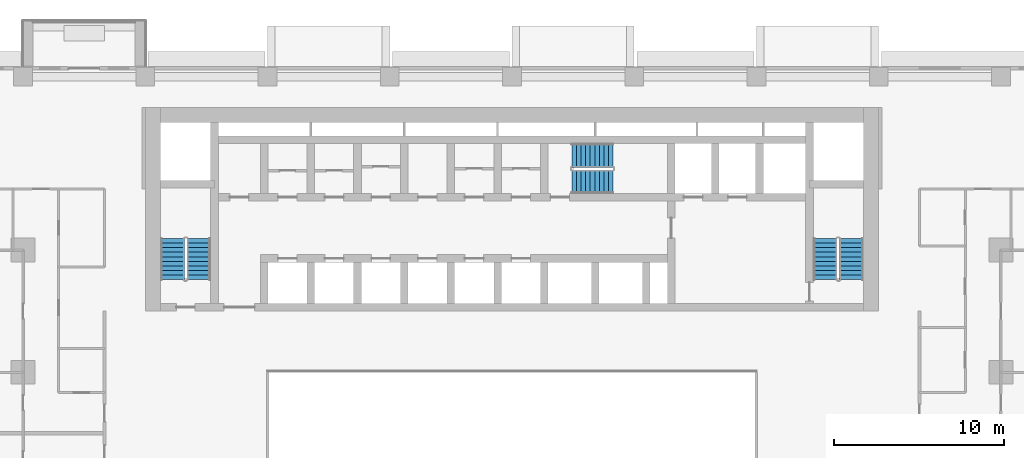
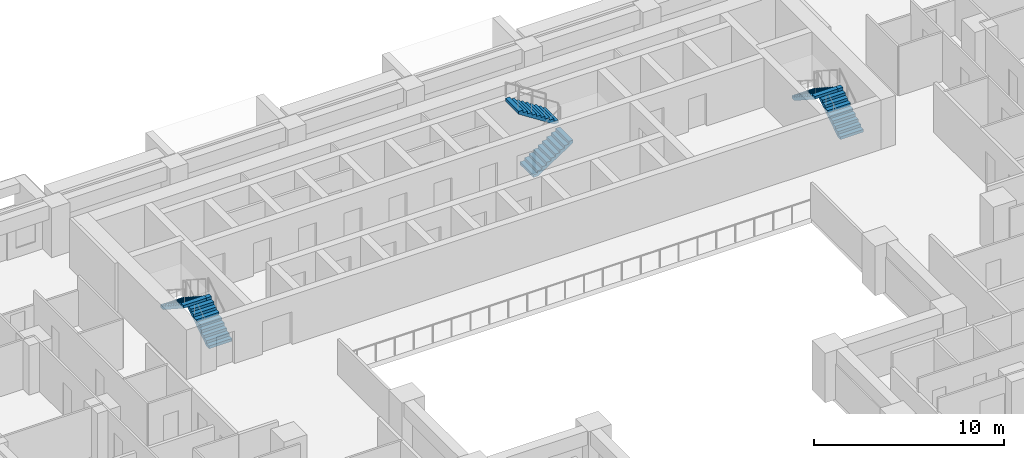
# One storey, part 13 of 17: 6 stair flights, 3 elements without a shape of their own.
"""IFC4 building model written with IfcOpenShell, lengths in metres."""

from ifc_helpers import new_model, si_unit, direction, frame, origin, place, context, subcontext, project, spatial, polyline, outline, extrude, material, layer, layer_set, type_object, element, aggregate, save


model = new_model("IFC4")

# Units and contexts
model_context = context("Model", 3, precision=1e-05, world=origin(), true_north=direction((0.0, 1.0)))
body_context = subcontext(model_context, "Body", "Model", "MODEL_VIEW")
ifc_project = project(units=[si_unit("LENGTHUNIT", "METRE"), si_unit("AREAUNIT", "SQUARE_METRE"), si_unit("VOLUMEUNIT", "CUBIC_METRE"), si_unit("PLANEANGLEUNIT", "RADIAN"), si_unit("MASSUNIT", "GRAM", prefix="KILO")], contexts=[model_context])

# Site, building, storey
site_placement = place(None, origin())
site = spatial("IfcSite", under=ifc_project, at=site_placement, CompositionType="ELEMENT")
building_placement = place(site_placement, origin())
building = spatial("IfcBuilding", under=site, at=building_placement, Name="Saffron Iwan Residences", CompositionType="ELEMENT")
storey_placement = place(building_placement, frame((0.0, 0.0, 55.0)))
storey = spatial("IfcBuildingStorey", under=building, at=storey_placement, Name="L13", CompositionType="ELEMENT", Elevation=55.0)

# Stair, stair flights
ifc_material = material(Name="Concrete C50/60", Category="concrete")
stair_type = type_object("IfcStairType", Name="Stair ST-CORE", PredefinedType="HALF_TURN_STAIR", material=ifc_material)
stair_1_placement = place(storey_placement, origin())
stair_1 = element("IfcStair", 1, at=stair_1_placement, inside=storey, type_object=stair_type, Name="L13 Exit Stair ST-W", PredefinedType="HALF_TURN_STAIR")
ifc_layer = layer(ifc_material, 0.14990234375)
ifc_layer_set = layer_set([ifc_layer], Name="Concrete C50/60")
stair_flight_type = type_object("IfcStairFlightType", Name="Stair flight SFL-RC", PredefinedType="STRAIGHT", material=ifc_layer_set)
stair_flight_1_placement = place(storey_placement, frame((31.949951171875, 67.85009765625, 0.0), z_axis=(0.0, 0.0, 1.0), x_axis=(0.0, 1.0, 0.0)))
stair_flight_1 = element("IfcStairFlight", 2, at=stair_flight_1_placement, type_object=stair_flight_type, Name="ST-W flight 1", NumberOfRisers=10, NumberOfTreads=9, PredefinedType="STRAIGHT", RiserHeight=0.175, TreadLength=0.27, context=body_context, shape_type="SweptSolid", body=[
    extrude(outline(polyline([(0.0, 0.0), (0.0, 0.175048828125), (0.27001953125, 0.175048828125), (0.27001953125, 0.35009765625), (0.5400390625, 0.35009765625), (0.5400390625, 0.52490234375), (0.81005859375, 0.52490234375), (0.81005859375, 0.699951171875), (1.080078125, 0.699951171875), (1.080078125, 0.875), (1.35009765625, 0.875), (1.35009765625, 1.050048828125), (1.6201171875, 1.050048828125), (1.6201171875, 1.22509765625), (1.889892578125, 1.22509765625), (1.889892578125, 1.39990234375), (2.159912109375, 1.39990234375), (2.159912109375, 1.574951171875), (2.429931640625, 1.574951171875), (2.429931640625, 1.75), (2.429931640625, 1.396484375), (0.275634765625, 0.0), (0.0, 0.0)])), frame((0.0, 0.699951171875, 0.0), z_axis=(0.0, -1.0, 0.0), x_axis=(1.0, 0.0, 0.0)), (0.0, 0.0, 1.0), 1.39990234375),
])
stair_flight_2_placement = place(storey_placement, frame((30.39990234375, 70.280029296875, 1.75), z_axis=(0.0, 0.0, 1.0), x_axis=(0.0, -1.0, 0.0)))
stair_flight_2 = element("IfcStairFlight", 3, at=stair_flight_2_placement, type_object=stair_flight_type, Name="ST-W flight 2", NumberOfRisers=10, NumberOfTreads=9, PredefinedType="STRAIGHT", RiserHeight=0.175, TreadLength=0.27, context=body_context, shape_type="SweptSolid", body=[
    extrude(outline(polyline([(0.0, 0.0), (0.0, 0.175048828125), (0.27001953125, 0.175048828125), (0.27001953125, 0.35009765625), (0.5400390625, 0.35009765625), (0.5400390625, 0.52490234375), (0.81005859375, 0.52490234375), (0.81005859375, 0.699951171875), (1.080078125, 0.699951171875), (1.080078125, 0.875), (1.35009765625, 0.875), (1.35009765625, 1.050048828125), (1.6201171875, 1.050048828125), (1.6201171875, 1.22509765625), (1.889892578125, 1.22509765625), (1.889892578125, 1.39990234375), (2.159912109375, 1.39990234375), (2.159912109375, 1.574951171875), (2.429931640625, 1.574951171875), (2.429931640625, 1.75), (2.429931640625, 1.396484375), (0.275634765625, 0.0), (0.0, 0.0)])), frame((0.0, 0.699951171875, 0.0), z_axis=(0.0, -1.0, 0.0), x_axis=(1.0, 0.0, 0.0)), (0.0, 0.0, 1.0), 1.39990234375),
])
aggregate(stair_1, [stair_flight_1, stair_flight_2])

stair_2_placement = place(storey_placement, origin())
stair_2 = element("IfcStair", 4, at=stair_2_placement, inside=storey, type_object=stair_type, Name="L13 Exit Stair ST-C", PredefinedType="HALF_TURN_STAIR")
stair_flight_3_placement = place(storey_placement, frame((53.925048828125, 73.625, 0.0), z_axis=(0.0, 0.0, 1.0), x_axis=(1.0, 0.0, 0.0)))
stair_flight_3 = element("IfcStairFlight", 5, at=stair_flight_3_placement, type_object=stair_flight_type, Name="ST-C flight 1", NumberOfRisers=10, NumberOfTreads=9, PredefinedType="STRAIGHT", RiserHeight=0.175, TreadLength=0.27, context=body_context, shape_type="SweptSolid", body=[
    extrude(outline(polyline([(0.0, 0.0), (0.0, 0.175048828125), (0.27001953125, 0.175048828125), (0.27001953125, 0.35009765625), (0.5400390625, 0.35009765625), (0.5400390625, 0.52490234375), (0.81005859375, 0.52490234375), (0.81005859375, 0.699951171875), (1.080078125, 0.699951171875), (1.080078125, 0.875), (1.35009765625, 0.875), (1.35009765625, 1.050048828125), (1.6201171875, 1.050048828125), (1.6201171875, 1.22509765625), (1.889892578125, 1.22509765625), (1.889892578125, 1.39990234375), (2.159912109375, 1.39990234375), (2.159912109375, 1.574951171875), (2.429931640625, 1.574951171875), (2.429931640625, 1.75), (2.429931640625, 1.396484375), (0.275634765625, 0.0), (0.0, 0.0)])), frame((0.0, 0.699951171875, 0.0), z_axis=(0.0, -1.0, 0.0), x_axis=(1.0, 0.0, 0.0)), (0.0, 0.0, 1.0), 1.39990234375),
])
stair_flight_4_placement = place(storey_placement, frame((56.35498046875, 75.175048828125, 1.75), z_axis=(0.0, 0.0, 1.0), x_axis=(-1.0, 0.0, 0.0)))
stair_flight_4 = element("IfcStairFlight", 6, at=stair_flight_4_placement, type_object=stair_flight_type, Name="ST-C flight 2", NumberOfRisers=10, NumberOfTreads=9, PredefinedType="STRAIGHT", RiserHeight=0.175, TreadLength=0.27, context=body_context, shape_type="SweptSolid", body=[
    extrude(outline(polyline([(0.0, 0.0), (0.0, 0.175048828125), (0.27001953125, 0.175048828125), (0.27001953125, 0.35009765625), (0.5400390625, 0.35009765625), (0.5400390625, 0.52490234375), (0.81005859375, 0.52490234375), (0.81005859375, 0.699951171875), (1.080078125, 0.699951171875), (1.080078125, 0.875), (1.35009765625, 0.875), (1.35009765625, 1.050048828125), (1.6201171875, 1.050048828125), (1.6201171875, 1.22509765625), (1.889892578125, 1.22509765625), (1.889892578125, 1.39990234375), (2.159912109375, 1.39990234375), (2.159912109375, 1.574951171875), (2.429931640625, 1.574951171875), (2.429931640625, 1.75), (2.429931640625, 1.396484375), (0.275634765625, 0.0), (0.0, 0.0)])), frame((0.0, 0.699951171875, 0.0), z_axis=(0.0, -1.0, 0.0), x_axis=(1.0, 0.0, 0.0)), (0.0, 0.0, 1.0), 1.39990234375),
])
aggregate(stair_2, [stair_flight_3, stair_flight_4])

stair_3_placement = place(storey_placement, origin())
stair_3 = element("IfcStair", 7, at=stair_3_placement, inside=storey, type_object=stair_type, Name="L13 Exit Stair ST-E", PredefinedType="HALF_TURN_STAIR")
stair_flight_5_placement = place(storey_placement, frame((70.39990234375, 67.85009765625, 0.0), z_axis=(0.0, 0.0, 1.0), x_axis=(0.0, 1.0, 0.0)))
stair_flight_5 = element("IfcStairFlight", 8, at=stair_flight_5_placement, type_object=stair_flight_type, Name="ST-E flight 1", NumberOfRisers=10, NumberOfTreads=9, PredefinedType="STRAIGHT", RiserHeight=0.175, TreadLength=0.27, context=body_context, shape_type="SweptSolid", body=[
    extrude(outline(polyline([(0.0, 0.0), (0.0, 0.175048828125), (0.27001953125, 0.175048828125), (0.27001953125, 0.35009765625), (0.5400390625, 0.35009765625), (0.5400390625, 0.52490234375), (0.81005859375, 0.52490234375), (0.81005859375, 0.699951171875), (1.080078125, 0.699951171875), (1.080078125, 0.875), (1.35009765625, 0.875), (1.35009765625, 1.050048828125), (1.6201171875, 1.050048828125), (1.6201171875, 1.22509765625), (1.889892578125, 1.22509765625), (1.889892578125, 1.39990234375), (2.159912109375, 1.39990234375), (2.159912109375, 1.574951171875), (2.429931640625, 1.574951171875), (2.429931640625, 1.75), (2.429931640625, 1.396484375), (0.275634765625, 0.0), (0.0, 0.0)])), frame((0.0, 0.699951171875, 0.0), z_axis=(0.0, -1.0, 0.0), x_axis=(1.0, 0.0, 0.0)), (0.0, 0.0, 1.0), 1.39990234375),
])
stair_flight_6_placement = place(storey_placement, frame((68.85009765625, 70.280029296875, 1.75), z_axis=(0.0, 0.0, 1.0), x_axis=(0.0, -1.0, 0.0)))
stair_flight_6 = element("IfcStairFlight", 9, at=stair_flight_6_placement, type_object=stair_flight_type, Name="ST-E flight 2", NumberOfRisers=10, NumberOfTreads=9, PredefinedType="STRAIGHT", RiserHeight=0.175, TreadLength=0.27, context=body_context, shape_type="SweptSolid", body=[
    extrude(outline(polyline([(0.0, 0.0), (0.0, 0.175048828125), (0.27001953125, 0.175048828125), (0.27001953125, 0.35009765625), (0.5400390625, 0.35009765625), (0.5400390625, 0.52490234375), (0.81005859375, 0.52490234375), (0.81005859375, 0.699951171875), (1.080078125, 0.699951171875), (1.080078125, 0.875), (1.35009765625, 0.875), (1.35009765625, 1.050048828125), (1.6201171875, 1.050048828125), (1.6201171875, 1.22509765625), (1.889892578125, 1.22509765625), (1.889892578125, 1.39990234375), (2.159912109375, 1.39990234375), (2.159912109375, 1.574951171875), (2.429931640625, 1.574951171875), (2.429931640625, 1.75), (2.429931640625, 1.396484375), (0.275634765625, 0.0), (0.0, 0.0)])), frame((0.0, 0.699951171875, 0.0), z_axis=(0.0, -1.0, 0.0), x_axis=(1.0, 0.0, 0.0)), (0.0, 0.0, 1.0), 1.39990234375),
])
aggregate(stair_3, [stair_flight_5, stair_flight_6])

save(model, "model.ifc")
